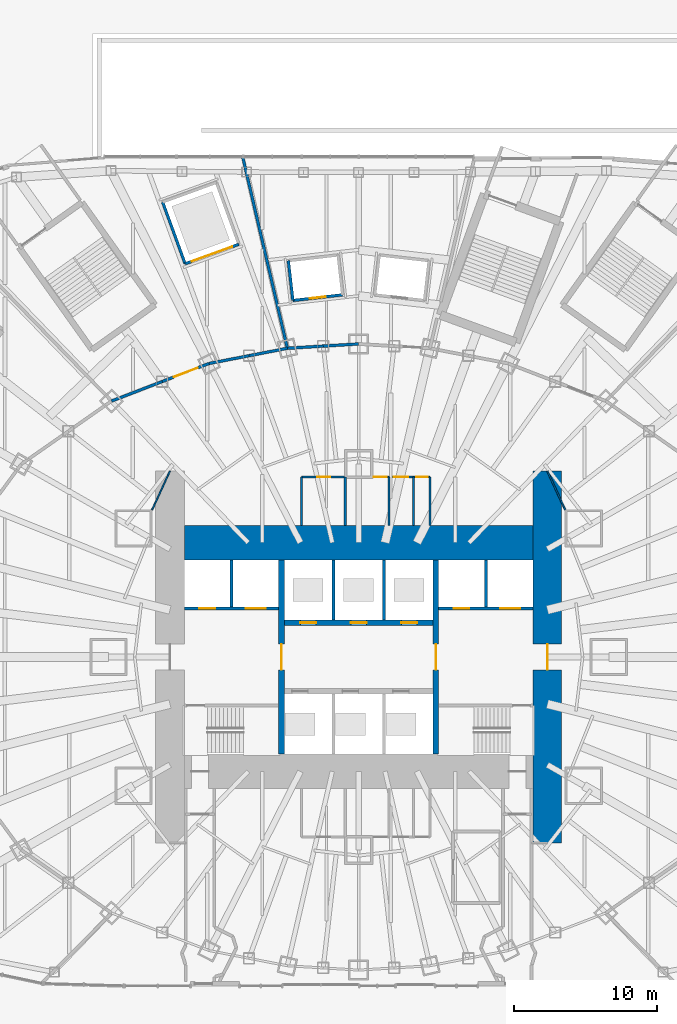
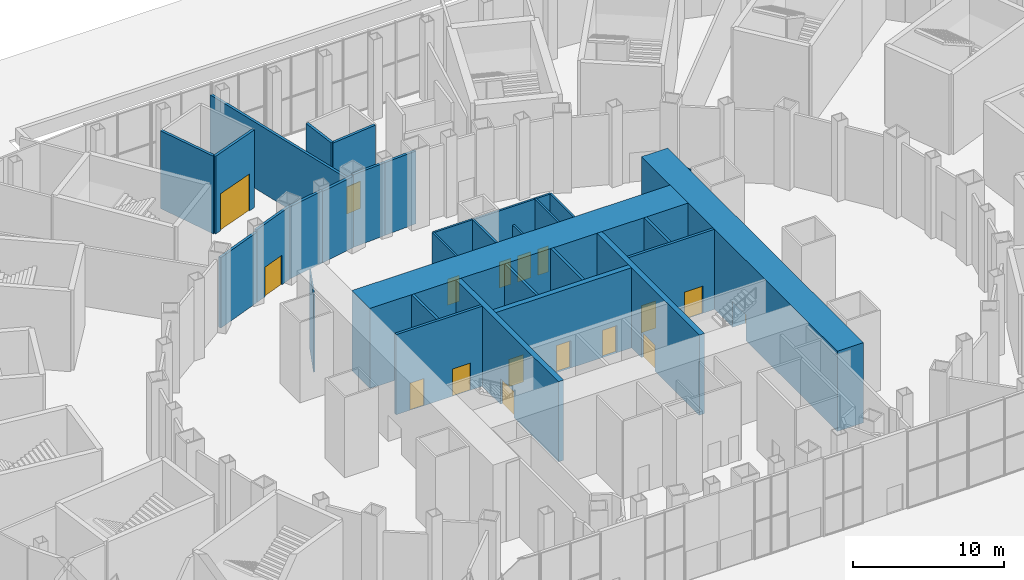
# One storey, part 19 of 47: 30 walls, 17 doors, 17 openings.
"""IFC4 building model written with IfcOpenShell, lengths in metres."""

from ifc_helpers import new_model, si_unit, direction, frame, frame_2d, origin, place, context, subcontext, project, spatial, rectangle, extrude, material, layer, layer_set, type_object, element, fill, save


model = new_model("IFC4")

# Units and contexts
model_context = context("Model", 3, precision=1e-05, world=origin(), true_north=direction((0.0, 1.0)))
body_context = subcontext(model_context, "Body", "Model", "MODEL_VIEW")
ifc_project = project(units=[si_unit("LENGTHUNIT", "METRE"), si_unit("AREAUNIT", "SQUARE_METRE"), si_unit("VOLUMEUNIT", "CUBIC_METRE"), si_unit("PLANEANGLEUNIT", "RADIAN"), si_unit("MASSUNIT", "GRAM", prefix="KILO")], contexts=[model_context])

# Site, building, storey
site_placement = place(None, origin())
site = spatial("IfcSite", under=ifc_project, at=site_placement, CompositionType="ELEMENT")
building_placement = place(site_placement, origin())
building = spatial("IfcBuilding", under=site, at=building_placement, Name="Lantaw Convention Tower", CompositionType="ELEMENT")
storey_placement = place(building_placement, origin())
storey = spatial("IfcBuildingStorey", under=building, at=storey_placement, Name="L00", CompositionType="ELEMENT", Elevation=0.0)

# Wall, opening, door
ifc_material_1 = material(Name="Concrete C60/75", Category="concrete")
ifc_layer_1 = layer(ifc_material_1, 2.0)
ifc_layer_set_1 = layer_set([ifc_layer_1], Name="Core wall 2000")
wall_type_1 = type_object("IfcWallType", Name="Core wall 2000", PredefinedType="SHEAR", material=ifc_layer_set_1)
wall_1_placement = place(storey_placement, frame((13.199951171875, -13.0, 0.0), z_axis=(0.0, 0.0, 1.0), x_axis=(0.0, 1.0, 0.0)))
wall_1 = element("IfcWall", 1, at=wall_1_placement, inside=storey, type_object=wall_type_1, Name="Core wall E", PredefinedType="SHEAR", context=body_context, shape_type="SweptSolid", body=[
    extrude(rectangle(XDim=26.0, YDim=2.0, at=frame_2d((13.0, 0.0))), origin(), (0.0, 0.0, 1.0), 6.5),
])
opening_1_placement = place(wall_1_placement, frame((12.10009765625, 0.0, 0.0)))
opening_1 = element("IfcOpeningElement", 2, at=opening_1_placement, cuts=wall_1, Name="Opening L00.05", PredefinedType="OPENING", context=body_context, shape_type="SweptSolid", body=[
    extrude(rectangle(XDim=1.800048828125, YDim=2.10009765625, at=frame_2d((0.89990234375, 1.050048828125))), frame((0.0, 1.010009765625, 0.0), z_axis=(0.0, -1.0, 0.0), x_axis=(1.0, 0.0, 0.0)), (0.0, 0.0, 1.0), 2.02001953125),
])
ifc_material_2 = material(Name="Steel, fire rated", Category="steel")
door_type_1 = type_object("IfcDoorType", Name="Lobby double door FD90", OperationType="DOUBLE_DOOR_DOUBLE_SWING", PredefinedType="DOOR", material=ifc_material_2)
door_1_placement = place(opening_1_placement, origin())
door_1 = element("IfcDoor", 3, at=door_1_placement, inside=storey, type_object=door_type_1, Name="Firefighting lobby door", OperationType="DOUBLE_DOOR_DOUBLE_SWING", OverallHeight=2.10009765625, OverallWidth=1.800048828125, PredefinedType="DOOR", context=body_context, shape_type="SweptSolid", body=[
    extrude(rectangle(XDim=1.800048828125, YDim=2.10009765625, at=frame_2d((0.89990234375, 1.050048828125))), frame((0.0, 0.02490234375, 0.0), z_axis=(0.0, -1.0, 0.0), x_axis=(1.0, 0.0, 0.0)), (0.0, 0.0, 1.0), 0.050048828125),
])
fill(opening_1, door_1)

# Wall
ifc_layer_2 = layer(ifc_material_1, 2.39990234375)
ifc_layer_set_2 = layer_set([ifc_layer_2], Name="Core wall 2400")
wall_type_2 = type_object("IfcWallType", Name="Core wall 2400", PredefinedType="SHEAR", material=ifc_layer_set_2)
wall_2_placement = place(storey_placement, frame((12.199951171875, 8.0, 0.0), z_axis=(0.0, 0.0, 1.0), x_axis=(-1.0, 0.0, 0.0)))
element("IfcWall", 4, at=wall_2_placement, inside=storey, type_object=wall_type_2, Name="Core wall N", PredefinedType="SHEAR", context=body_context, shape_type="SweptSolid", body=[
    extrude(rectangle(XDim=24.39990234375, YDim=2.39990234375, at=frame_2d((12.199951171875, 0.0))), origin(), (0.0, 0.0, 1.0), 6.5),
])

# Wall, opening, door
ifc_layer_3 = layer(ifc_material_1, 0.39990234375)
ifc_layer_set_3 = layer_set([ifc_layer_3], Name="Core wall 400")
wall_type_3 = type_object("IfcWallType", Name="Core wall 400", PredefinedType="SHEAR", material=ifc_layer_set_3)
wall_3_placement = place(storey_placement, frame((5.39990234375, -6.800048828125, 0.0), z_axis=(0.0, 0.0, 1.0), x_axis=(0.0, 1.0, 0.0)))
wall_3 = element("IfcWall", 5, at=wall_3_placement, inside=storey, type_object=wall_type_3, Name="Core wall XE", PredefinedType="SHEAR", context=body_context, shape_type="SweptSolid", body=[
    extrude(rectangle(XDim=13.60009765625, YDim=0.39990234375, at=frame_2d((6.800048828125, 0.0))), origin(), (0.0, 0.0, 1.0), 6.5),
])
opening_2_placement = place(wall_3_placement, frame((5.89990234375, 0.0, 0.0)))
opening_2 = element("IfcOpeningElement", 6, at=opening_2_placement, cuts=wall_3, Name="Opening L00.01", PredefinedType="OPENING", context=body_context, shape_type="SweptSolid", body=[
    extrude(rectangle(XDim=1.800048828125, YDim=2.10009765625, at=frame_2d((0.89990234375, 1.050048828125))), frame((0.0, 0.2099609375, 0.0), z_axis=(0.0, -1.0, 0.0), x_axis=(1.0, 0.0, 0.0)), (0.0, 0.0, 1.0), 0.419921875),
])
door_2_placement = place(opening_2_placement, origin())
door_2 = element("IfcDoor", 7, at=door_2_placement, inside=storey, type_object=door_type_1, Name="Lift lobby door", OperationType="DOUBLE_DOOR_DOUBLE_SWING", OverallHeight=2.10009765625, OverallWidth=1.800048828125, PredefinedType="DOOR", context=body_context, shape_type="SweptSolid", body=[
    extrude(rectangle(XDim=1.800048828125, YDim=2.10009765625, at=frame_2d((0.89990234375, 1.050048828125))), frame((0.0, 0.02490234375, 0.0), z_axis=(0.0, -1.0, 0.0), x_axis=(1.0, 0.0, 0.0)), (0.0, 0.0, 1.0), 0.050048828125),
])
fill(opening_2, door_2)

wall_4_placement = place(storey_placement, frame((-5.39990234375, 6.800048828125, 0.0), z_axis=(0.0, 0.0, 1.0), x_axis=(0.0, -1.0, 0.0)))
wall_4 = element("IfcWall", 8, at=wall_4_placement, inside=storey, type_object=wall_type_3, Name="Core wall XW", PredefinedType="SHEAR", context=body_context, shape_type="SweptSolid", body=[
    extrude(rectangle(XDim=13.60009765625, YDim=0.39990234375, at=frame_2d((6.800048828125, 0.0))), origin(), (0.0, 0.0, 1.0), 6.5),
])
opening_3_placement = place(wall_4_placement, frame((5.89990234375, 0.0, 0.0)))
opening_3 = element("IfcOpeningElement", 9, at=opening_3_placement, cuts=wall_4, Name="Opening L00.02", PredefinedType="OPENING", context=body_context, shape_type="SweptSolid", body=[
    extrude(rectangle(XDim=1.800048828125, YDim=2.10009765625, at=frame_2d((0.89990234375, 1.050048828125))), frame((0.0, 0.2099609375, 0.0), z_axis=(0.0, -1.0, 0.0), x_axis=(1.0, 0.0, 0.0)), (0.0, 0.0, 1.0), 0.419921875),
])
door_3_placement = place(opening_3_placement, origin())
door_3 = element("IfcDoor", 10, at=door_3_placement, inside=storey, type_object=door_type_1, Name="Lift lobby door", OperationType="DOUBLE_DOOR_DOUBLE_SWING", OverallHeight=2.10009765625, OverallWidth=1.800048828125, PredefinedType="DOOR", context=body_context, shape_type="SweptSolid", body=[
    extrude(rectangle(XDim=1.800048828125, YDim=2.10009765625, at=frame_2d((0.89990234375, 1.050048828125))), frame((0.0, 0.02490234375, 0.0), z_axis=(0.0, -1.0, 0.0), x_axis=(1.0, 0.0, 0.0)), (0.0, 0.0, 1.0), 0.050048828125),
])
fill(opening_3, door_3)

# Wall, openings, doors
wall_5_placement = place(storey_placement, frame((5.199951171875, 2.39990234375, 0.0), z_axis=(0.0, 0.0, 1.0), x_axis=(-1.0, 0.0, 0.0)))
wall_5 = element("IfcWall", 11, at=wall_5_placement, inside=storey, type_object=wall_type_3, Name="Core wall BN", PredefinedType="SHEAR", context=body_context, shape_type="SweptSolid", body=[
    extrude(rectangle(XDim=10.39990234375, YDim=0.39990234375, at=frame_2d((5.199951171875, 0.0))), origin(), (0.0, 0.0, 1.0), 6.5),
])
opening_4_placement = place(wall_5_placement, frame((8.183349609375, 0.0, 0.0)))
opening_4 = element("IfcOpeningElement", 12, at=opening_4_placement, cuts=wall_5, Name="Opening L00.07", PredefinedType="OPENING", context=body_context, shape_type="SweptSolid", body=[
    extrude(rectangle(XDim=1.10009765625, YDim=2.199951171875, at=frame_2d((0.550048828125, 1.10009765625))), frame((0.0, 0.2099609375, 0.0), z_axis=(0.0, -1.0, 0.0), x_axis=(1.0, 0.0, 0.0)), (0.0, 0.0, 1.0), 0.419921875),
])
opening_5_placement = place(wall_5_placement, frame((4.64990234375, 0.0, 0.0)))
opening_5 = element("IfcOpeningElement", 13, at=opening_5_placement, cuts=wall_5, Name="Opening L00.09", PredefinedType="OPENING", context=body_context, shape_type="SweptSolid", body=[
    extrude(rectangle(XDim=1.10009765625, YDim=2.199951171875, at=frame_2d((0.550048828125, 1.10009765625))), frame((0.0, 0.2099609375, 0.0), z_axis=(0.0, -1.0, 0.0), x_axis=(1.0, 0.0, 0.0)), (0.0, 0.0, 1.0), 0.419921875),
])
opening_6_placement = place(wall_5_placement, frame((1.11669921875, 0.0, 0.0)))
opening_6 = element("IfcOpeningElement", 14, at=opening_6_placement, cuts=wall_5, Name="Opening L00.11", PredefinedType="OPENING", context=body_context, shape_type="SweptSolid", body=[
    extrude(rectangle(XDim=1.10009765625, YDim=2.199951171875, at=frame_2d((0.550048828125, 1.10009765625))), frame((0.0, 0.2099609375, 0.0), z_axis=(0.0, -1.0, 0.0), x_axis=(1.0, 0.0, 0.0)), (0.0, 0.0, 1.0), 0.419921875),
])
ifc_material_3 = material(Name="Stainless steel", Category="steel")
door_type_2 = type_object("IfcDoorType", Name="Lift landing door 1100", OperationType="DOUBLE_DOOR_SLIDING", PredefinedType="DOOR", material=ifc_material_3)
door_4_placement = place(opening_4_placement, origin())
door_4 = element("IfcDoor", 15, at=door_4_placement, inside=storey, type_object=door_type_2, Name="Lift landing door N1", OperationType="DOUBLE_DOOR_SLIDING", OverallHeight=2.199951171875, OverallWidth=1.10009765625, PredefinedType="DOOR", context=body_context, shape_type="SweptSolid", body=[
    extrude(rectangle(XDim=1.10009765625, YDim=2.199951171875, at=frame_2d((0.550048828125, 1.10009765625))), frame((0.0, 0.02490234375, 0.0), z_axis=(0.0, -1.0, 0.0), x_axis=(1.0, 0.0, 0.0)), (0.0, 0.0, 1.0), 0.050048828125),
])
fill(opening_4, door_4)
door_5_placement = place(opening_5_placement, origin())
door_5 = element("IfcDoor", 16, at=door_5_placement, inside=storey, type_object=door_type_2, Name="Lift landing door N2", OperationType="DOUBLE_DOOR_SLIDING", OverallHeight=2.199951171875, OverallWidth=1.10009765625, PredefinedType="DOOR", context=body_context, shape_type="SweptSolid", body=[
    extrude(rectangle(XDim=1.10009765625, YDim=2.199951171875, at=frame_2d((0.550048828125, 1.10009765625))), frame((0.0, 0.02490234375, 0.0), z_axis=(0.0, -1.0, 0.0), x_axis=(1.0, 0.0, 0.0)), (0.0, 0.0, 1.0), 0.050048828125),
])
fill(opening_5, door_5)
door_6_placement = place(opening_6_placement, origin())
door_6 = element("IfcDoor", 17, at=door_6_placement, inside=storey, type_object=door_type_2, Name="Lift landing door N3", OperationType="DOUBLE_DOOR_SLIDING", OverallHeight=2.199951171875, OverallWidth=1.10009765625, PredefinedType="DOOR", context=body_context, shape_type="SweptSolid", body=[
    extrude(rectangle(XDim=1.10009765625, YDim=2.199951171875, at=frame_2d((0.550048828125, 1.10009765625))), frame((0.0, 0.02490234375, 0.0), z_axis=(0.0, -1.0, 0.0), x_axis=(1.0, 0.0, 0.0)), (0.0, 0.0, 1.0), 0.050048828125),
])
fill(opening_6, door_6)

# Wall
ifc_material_4 = material(Name="Concrete blockwork, fire rated", Category="masonry")
ifc_layer_4 = layer(ifc_material_4, 0.199951171875)
ifc_layer_set_4 = layer_set([ifc_layer_4], Name="Lift shaft wall 200 EI 120")
wall_type_4 = type_object("IfcWallType", Name="Lift shaft wall 200 EI 120", PredefinedType="SOLIDWALL", material=ifc_layer_set_4)
wall_6_placement = place(storey_placement, frame((-4.919677734375, 27.72119140625, 0.0), z_axis=(0.0, 0.0, 1.0), x_axis=(0.113177712989, -0.993574760792, 0.0)))
element("IfcWall", 18, at=wall_6_placement, inside=storey, type_object=wall_type_4, Name="Lift shaft wall", PredefinedType="SOLIDWALL", context=body_context, shape_type="SweptSolid", body=[
    extrude(rectangle(XDim=2.800048828125, YDim=0.199951171875, at=frame_2d((1.39990234375, 0.0))), origin(), (0.0, 0.0, 1.0), 6.300048828125),
])

# Wall, opening, door
wall_7_placement = place(storey_placement, frame((-4.602783203125, 24.939208984375, 0.0), z_axis=(0.0, 0.0, 1.0), x_axis=(0.993571061716, 0.113210182053, 0.0)))
wall_7 = element("IfcWall", 19, at=wall_7_placement, inside=storey, type_object=wall_type_4, Name="Lift shaft wall", PredefinedType="SOLIDWALL", context=body_context, shape_type="SweptSolid", body=[
    extrude(rectangle(XDim=3.5, YDim=0.199951171875, at=frame_2d((1.75, 0.0))), origin(), (0.0, 0.0, 1.0), 6.300048828125),
])
opening_7_placement = place(wall_7_placement, frame((1.199951171875, 0.0, 0.0)))
opening_7 = element("IfcOpeningElement", 20, at=opening_7_placement, cuts=wall_7, Name="Opening LDPL2", PredefinedType="OPENING", context=body_context, shape_type="SweptSolid", body=[
    extrude(rectangle(XDim=1.10009765625, YDim=2.199951171875, at=frame_2d((0.550048828125, 1.10009765625))), frame((0.0, 0.10986328125, 0.0), z_axis=(0.0, -1.0, 0.0), x_axis=(1.0, 0.0, 0.0)), (0.0, 0.0, 1.0), 0.219970703125),
])
door_7_placement = place(opening_7_placement, origin())
door_7 = element("IfcDoor", 21, at=door_7_placement, inside=storey, type_object=door_type_2, Name="Lift landing door PL2", OperationType="DOUBLE_DOOR_SLIDING", OverallHeight=2.199951171875, OverallWidth=1.10009765625, PredefinedType="DOOR", context=body_context, shape_type="SweptSolid", body=[
    extrude(rectangle(XDim=1.10009765625, YDim=2.199951171875, at=frame_2d((0.550048828125, 1.10009765625))), frame((0.0, 0.02490234375, 0.0), z_axis=(0.0, -1.0, 0.0), x_axis=(1.0, 0.0, 0.0)), (0.0, 0.0, 1.0), 0.050048828125),
])
fill(opening_7, door_7)

# Wall
wall_8_placement = place(storey_placement, frame((-13.71337890625, 31.829345703125, 0.0), z_axis=(0.0, 0.0, 1.0), x_axis=(0.342062650202, -0.939677148459, 0.0)))
element("IfcWall", 22, at=wall_8_placement, inside=storey, type_object=wall_type_4, Name="Lift shaft wall", PredefinedType="SOLIDWALL", context=body_context, shape_type="SweptSolid", body=[
    extrude(rectangle(XDim=4.60009765625, YDim=0.199951171875, at=frame_2d((2.300048828125, 0.0))), origin(), (0.0, 0.0, 1.0), 6.300048828125),
])

# Wall, opening, door
wall_9_placement = place(storey_placement, frame((-12.139892578125, 27.5068359375, 0.0), z_axis=(0.0, 0.0, 1.0), x_axis=(0.939706071622, 0.341983185197, 0.0)))
wall_9 = element("IfcWall", 23, at=wall_9_placement, inside=storey, type_object=wall_type_4, Name="Lift shaft wall", PredefinedType="SOLIDWALL", context=body_context, shape_type="SweptSolid", body=[
    extrude(rectangle(XDim=4.0, YDim=0.199951171875, at=frame_2d((2.0, 0.0))), origin(), (0.0, 0.0, 1.0), 6.300048828125),
])
opening_8_placement = place(wall_9_placement, frame((0.5, 0.0, 0.0)))
opening_8 = element("IfcOpeningElement", 24, at=opening_8_placement, cuts=wall_9, Name="Opening LDGL1", PredefinedType="OPENING", context=body_context, shape_type="SweptSolid", body=[
    extrude(rectangle(XDim=3.0, YDim=3.0, at=frame_2d((1.5, 1.5))), frame((0.0, 0.10986328125, 0.0), z_axis=(0.0, -1.0, 0.0), x_axis=(1.0, 0.0, 0.0)), (0.0, 0.0, 1.0), 0.219970703125),
])
door_type_3 = type_object("IfcDoorType", Name="Lift landing door 3000", OperationType="DOUBLE_DOOR_SLIDING", PredefinedType="DOOR", material=ifc_material_3)
door_8_placement = place(opening_8_placement, origin())
door_8 = element("IfcDoor", 25, at=door_8_placement, inside=storey, type_object=door_type_3, Name="Lift landing door GL1", OperationType="DOUBLE_DOOR_SLIDING", OverallHeight=3.0, OverallWidth=3.0, PredefinedType="DOOR", context=body_context, shape_type="SweptSolid", body=[
    extrude(rectangle(XDim=3.0, YDim=3.0, at=frame_2d((1.5, 1.5))), frame((0.0, 0.02490234375, 0.0), z_axis=(0.0, -1.0, 0.0), x_axis=(1.0, 0.0, 0.0)), (0.0, 0.0, 1.0), 0.050048828125),
])
fill(opening_8, door_8)

# Walls
ifc_material_5 = material(Name="Gypsum board on steel studs, acoustic", Category="steel")
ifc_layer_5 = layer(ifc_material_5, 0.10009765625)
ifc_layer_set_5 = layer_set([ifc_layer_5], Name="Office partition 100")
wall_type_5 = type_object("IfcWallType", Name="Office partition 100", PredefinedType="PARTITIONING", material=ifc_layer_set_5)
for number, where, z_axis, x_axis, name in (
    (26, (13.199951171875, 13.0, 0.0), (0.0, 0.0, 1.0), (0.420129824888, -0.907464010437, 0.0), "Office partition 100"),
    (27, (-13.199951171875, 13.0, 0.0), (0.0, 0.0, 1.0), (-0.420129824888, -0.907464010437, 0.0), "Office partition 100"),
):
    element("IfcWall", number, at=place(storey_placement, frame(where, z_axis=z_axis, x_axis=x_axis)), inside=storey, type_object=wall_type_5, Name=name, PredefinedType="PARTITIONING", context=body_context, shape_type="SweptSolid", body=[
        extrude(rectangle(XDim=2.975341796875, YDim=0.10009765625, at=frame_2d((1.48779296875, 0.0))), origin(), (0.0, 0.0, 1.0), 6.300048828125),
    ])
ifc_material_6 = material(Name="Concrete blockwork", Category="masonry")
ifc_layer_6 = layer(ifc_material_6, 0.199951171875)
ifc_layer_set_6 = layer_set([ifc_layer_6], Name="Podium partition 200")
wall_type_6 = type_object("IfcWallType", Name="Podium partition 200", PredefinedType="SOLIDWALL", material=ifc_layer_set_6)
wall_10_placement = place(storey_placement, frame((0.0, 21.89990234375, 0.0), z_axis=(0.0, 0.0, 1.0), x_axis=(-0.998175328335, -0.060382231685, 0.0)))
element("IfcWall", 28, at=wall_10_placement, inside=storey, type_object=wall_type_6, Name="Podium partition 200", PredefinedType="SOLIDWALL", context=body_context, shape_type="SweptSolid", body=[
    extrude(rectangle(XDim=2.482666015625, YDim=0.199951171875, at=frame_2d((1.2412109375, 0.0))), origin(), (0.0, 0.0, 1.0), 5.896240234375),
])
wall_11_placement = place(storey_placement, frame((-2.47802734375, 21.75, 0.0), z_axis=(0.0, 0.0, 1.0), x_axis=(-0.998172405641, -0.060430527186, 0.0)))
element("IfcWall", 29, at=wall_11_placement, inside=storey, type_object=wall_type_6, Name="Podium partition 200", PredefinedType="SOLIDWALL", context=body_context, shape_type="SweptSolid", body=[
    extrude(rectangle(XDim=2.512939453125, YDim=0.199951171875, at=frame_2d((1.25634765625, 0.0))), origin(), (0.0, 0.0, 1.0), 5.896240234375),
])
wall_12_placement = place(storey_placement, frame((-4.986328125, 21.59814453125, 0.0), z_axis=(0.0, 0.0, 1.0), x_axis=(-0.981637218105, -0.190757364289, 0.0)))
element("IfcWall", 30, at=wall_12_placement, inside=storey, type_object=wall_type_6, Name="Podium partition 200", PredefinedType="SOLIDWALL", context=body_context, shape_type="SweptSolid", body=[
    extrude(rectangle(XDim=2.735107421875, YDim=0.199951171875, at=frame_2d((1.36767578125, 0.0))), origin(), (0.0, 0.0, 1.0), 5.774169921875),
])
wall_13_placement = place(storey_placement, frame((-7.671142578125, 21.076416015625, 0.0), z_axis=(0.0, 0.0, 1.0), x_axis=(-0.98163593748, -0.190763954266, 0.0)))
element("IfcWall", 31, at=wall_13_placement, inside=storey, type_object=wall_type_6, Name="Podium partition 200", PredefinedType="SOLIDWALL", context=body_context, shape_type="SweptSolid", body=[
    extrude(rectangle(XDim=2.84375, YDim=0.199951171875, at=frame_2d((1.421875, 0.0))), origin(), (0.0, 0.0, 1.0), 5.850341796875),
])

# Wall, opening, door
wall_14_placement = place(storey_placement, frame((-10.462646484375, 20.533935546875, 0.0), z_axis=(0.0, 0.0, 1.0), x_axis=(-0.933241815012, -0.359248820058, 0.0)))
wall_14 = element("IfcWall", 32, at=wall_14_placement, inside=storey, type_object=wall_type_6, Name="Podium partition 200", PredefinedType="SOLIDWALL", context=body_context, shape_type="SweptSolid", body=[
    extrude(rectangle(XDim=3.517578125, YDim=0.199951171875, at=frame_2d((1.7587890625, 0.0))), origin(), (0.0, 0.0, 1.0), 5.896240234375),
])
opening_9_placement = place(wall_14_placement, frame((0.85888671875, 0.0, 0.0)))
opening_9 = element("IfcOpeningElement", 33, at=opening_9_placement, cuts=wall_14, Name="Opening L00.21", PredefinedType="OPENING", context=body_context, shape_type="SweptSolid", body=[
    extrude(rectangle(XDim=1.800048828125, YDim=2.39990234375, at=frame_2d((0.89990234375, 1.199951171875))), frame((0.0, 0.10986328125, 0.0), z_axis=(0.0, -1.0, 0.0), x_axis=(1.0, 0.0, 0.0)), (0.0, 0.0, 1.0), 0.219970703125),
])
ifc_material_7 = material(Name="Timber", Category="wood")
door_type_4 = type_object("IfcDoorType", Name="Hall double door 1800", OperationType="DOUBLE_DOOR_DOUBLE_SWING", PredefinedType="DOOR", material=ifc_material_7)
door_9_placement = place(opening_9_placement, origin())
door_9 = element("IfcDoor", 34, at=door_9_placement, inside=storey, type_object=door_type_4, Name="Loading bay door", OperationType="DOUBLE_DOOR_DOUBLE_SWING", OverallHeight=2.39990234375, OverallWidth=1.800048828125, PredefinedType="DOOR", context=body_context, shape_type="SweptSolid", body=[
    extrude(rectangle(XDim=1.800048828125, YDim=2.39990234375, at=frame_2d((0.89990234375, 1.199951171875))), frame((0.0, 0.02490234375, 0.0), z_axis=(0.0, -1.0, 0.0), x_axis=(1.0, 0.0, 0.0)), (0.0, 0.0, 1.0), 0.050048828125),
])
fill(opening_9, door_9)

# Walls
wall_15_placement = place(storey_placement, frame((-13.745361328125, 19.270263671875, 0.0), z_axis=(0.0, 0.0, 1.0), x_axis=(-0.933224646415, -0.359293416754, 0.0)))
element("IfcWall", 35, at=wall_15_placement, inside=storey, type_object=wall_type_6, Name="Podium partition 200", PredefinedType="SOLIDWALL", context=body_context, shape_type="SweptSolid", body=[
    extrude(rectangle(XDim=3.799072265625, YDim=0.199951171875, at=frame_2d((1.8994140625, 0.0))), origin(), (0.0, 0.0, 1.0), 5.700439453125),
])
wall_16_placement = place(storey_placement, frame((-4.986328125, 21.59814453125, 0.0), z_axis=(0.0, 0.0, 1.0), x_axis=(-0.227372072823, 0.973807958737, 0.0)))
element("IfcWall", 36, at=wall_16_placement, inside=storey, type_object=wall_type_6, Name="Podium partition 200", PredefinedType="SOLIDWALL", context=body_context, shape_type="SweptSolid", body=[
    extrude(rectangle(XDim=13.706298828125, YDim=0.199951171875, at=frame_2d((6.85302734375, 0.0))), origin(), (0.0, 0.0, 1.0), 5.357666015625),
])
ifc_layer_7 = layer(ifc_material_4, 0.199951171875)
ifc_layer_set_7 = layer_set([ifc_layer_7], Name="Shaft wall 200")
wall_type_7 = type_object("IfcWallType", Name="Shaft wall 200", PredefinedType="SOLIDWALL", material=ifc_layer_set_7)
for number, where, z_axis, x_axis, name in (
    (37, (-1.7666015625, 2.60009765625, 0.0), (0.0, 0.0, 1.0), (0.0, 1.0, 0.0), "Shaft wall DN1"),
    (38, (1.7666015625, 2.60009765625, 0.0), (0.0, 0.0, 1.0), (0.0, 1.0, 0.0), "Shaft wall DN2"),
):
    element("IfcWall", number, at=place(storey_placement, frame(where, z_axis=z_axis, x_axis=x_axis)), inside=storey, type_object=wall_type_7, Name=name, PredefinedType="SOLIDWALL", context=body_context, shape_type="SweptSolid", body=[
        extrude(rectangle(XDim=4.199951171875, YDim=0.199951171875, at=frame_2d((2.10009765625, 0.0))), origin(), (0.0, 0.0, 1.0), 6.5),
    ])

# Wall, openings, doors
wall_17_placement = place(storey_placement, frame((12.199951171875, 3.39990234375, 0.0), z_axis=(0.0, 0.0, 1.0), x_axis=(-1.0, 0.0, 0.0)))
wall_17 = element("IfcWall", 39, at=wall_17_placement, inside=storey, type_object=wall_type_7, Name="Shaft wall EN", PredefinedType="SOLIDWALL", context=body_context, shape_type="SweptSolid", body=[
    extrude(rectangle(XDim=6.599853515625, YDim=0.199951171875, at=frame_2d((3.2998046875, 0.0))), origin(), (0.0, 0.0, 1.0), 6.5),
])
opening_10_placement = place(wall_17_placement, frame((4.449951171875, 0.0, 0.0)))
opening_10 = element("IfcOpeningElement", 40, at=opening_10_placement, cuts=wall_17, Name="Opening L00.15", PredefinedType="OPENING", context=body_context, shape_type="SweptSolid", body=[
    extrude(rectangle(XDim=1.10009765625, YDim=2.199951171875, at=frame_2d((0.550048828125, 1.10009765625))), frame((0.0, 0.10986328125, 0.0), z_axis=(0.0, -1.0, 0.0), x_axis=(1.0, 0.0, 0.0)), (0.0, 0.0, 1.0), 0.219970703125),
])
opening_11_placement = place(wall_17_placement, frame((0.89990234375, 0.0, 0.0)))
opening_11 = element("IfcOpeningElement", 41, at=opening_11_placement, cuts=wall_17, Name="Opening L00.16", PredefinedType="OPENING", context=body_context, shape_type="SweptSolid", body=[
    extrude(rectangle(XDim=1.39990234375, YDim=2.199951171875, at=frame_2d((0.699951171875, 1.10009765625))), frame((0.0, 0.10986328125, 0.0), z_axis=(0.0, -1.0, 0.0), x_axis=(1.0, 0.0, 0.0)), (0.0, 0.0, 1.0), 0.219970703125),
])
door_10_placement = place(opening_10_placement, origin())
door_10 = element("IfcDoor", 42, at=door_10_placement, inside=storey, type_object=door_type_2, Name="Lift landing door FF2", OperationType="DOUBLE_DOOR_SLIDING", OverallHeight=2.199951171875, OverallWidth=1.10009765625, PredefinedType="DOOR", context=body_context, shape_type="SweptSolid", body=[
    extrude(rectangle(XDim=1.10009765625, YDim=2.199951171875, at=frame_2d((0.550048828125, 1.10009765625))), frame((0.0, 0.02490234375, 0.0), z_axis=(0.0, -1.0, 0.0), x_axis=(1.0, 0.0, 0.0)), (0.0, 0.0, 1.0), 0.050048828125),
])
fill(opening_10, door_10)
door_type_5 = type_object("IfcDoorType", Name="Lift landing door 1400", OperationType="DOUBLE_DOOR_SLIDING", PredefinedType="DOOR", material=ifc_material_3)
door_11_placement = place(opening_11_placement, origin())
door_11 = element("IfcDoor", 43, at=door_11_placement, inside=storey, type_object=door_type_5, Name="Lift landing door SV2", OperationType="DOUBLE_DOOR_SLIDING", OverallHeight=2.199951171875, OverallWidth=1.39990234375, PredefinedType="DOOR", context=body_context, shape_type="SweptSolid", body=[
    extrude(rectangle(XDim=1.39990234375, YDim=2.199951171875, at=frame_2d((0.699951171875, 1.10009765625))), frame((0.0, 0.02490234375, 0.0), z_axis=(0.0, -1.0, 0.0), x_axis=(1.0, 0.0, 0.0)), (0.0, 0.0, 1.0), 0.050048828125),
])
fill(opening_11, door_11)

# Wall
wall_18_placement = place(storey_placement, frame((8.89990234375, 3.5, 0.0), z_axis=(0.0, 0.0, 1.0), x_axis=(0.0, 1.0, 0.0)))
element("IfcWall", 44, at=wall_18_placement, inside=storey, type_object=wall_type_7, Name="Shaft wall ED", PredefinedType="SOLIDWALL", context=body_context, shape_type="SweptSolid", body=[
    extrude(rectangle(XDim=3.300048828125, YDim=0.199951171875, at=frame_2d((1.64990234375, 0.0))), origin(), (0.0, 0.0, 1.0), 6.5),
])

# Wall, openings, doors
wall_19_placement = place(storey_placement, frame((-12.199951171875, 3.39990234375, 0.0), z_axis=(0.0, 0.0, 1.0), x_axis=(1.0, 0.0, 0.0)))
wall_19 = element("IfcWall", 45, at=wall_19_placement, inside=storey, type_object=wall_type_7, Name="Shaft wall WN", PredefinedType="SOLIDWALL", context=body_context, shape_type="SweptSolid", body=[
    extrude(rectangle(XDim=6.599853515625, YDim=0.199951171875, at=frame_2d((3.2998046875, 0.0))), origin(), (0.0, 0.0, 1.0), 6.5),
])
opening_12_placement = place(wall_19_placement, frame((1.050048828125, 0.0, 0.0)))
opening_12 = element("IfcOpeningElement", 46, at=opening_12_placement, cuts=wall_19, Name="Opening L00.13", PredefinedType="OPENING", context=body_context, shape_type="SweptSolid", body=[
    extrude(rectangle(XDim=1.10009765625, YDim=2.199951171875, at=frame_2d((0.550048828125, 1.10009765625))), frame((0.0, 0.10986328125, 0.0), z_axis=(0.0, -1.0, 0.0), x_axis=(1.0, 0.0, 0.0)), (0.0, 0.0, 1.0), 0.219970703125),
])
opening_13_placement = place(wall_19_placement, frame((4.300048828125, 0.0, 0.0)))
opening_13 = element("IfcOpeningElement", 47, at=opening_13_placement, cuts=wall_19, Name="Opening L00.14", PredefinedType="OPENING", context=body_context, shape_type="SweptSolid", body=[
    extrude(rectangle(XDim=1.39990234375, YDim=2.199951171875, at=frame_2d((0.699951171875, 1.10009765625))), frame((0.0, 0.10986328125, 0.0), z_axis=(0.0, -1.0, 0.0), x_axis=(1.0, 0.0, 0.0)), (0.0, 0.0, 1.0), 0.219970703125),
])
door_12_placement = place(opening_12_placement, origin())
door_12 = element("IfcDoor", 48, at=door_12_placement, inside=storey, type_object=door_type_2, Name="Lift landing door FF1", OperationType="DOUBLE_DOOR_SLIDING", OverallHeight=2.199951171875, OverallWidth=1.10009765625, PredefinedType="DOOR", context=body_context, shape_type="SweptSolid", body=[
    extrude(rectangle(XDim=1.10009765625, YDim=2.199951171875, at=frame_2d((0.550048828125, 1.10009765625))), frame((0.0, 0.02490234375, 0.0), z_axis=(0.0, -1.0, 0.0), x_axis=(1.0, 0.0, 0.0)), (0.0, 0.0, 1.0), 0.050048828125),
])
fill(opening_12, door_12)
door_13_placement = place(opening_13_placement, origin())
door_13 = element("IfcDoor", 49, at=door_13_placement, inside=storey, type_object=door_type_5, Name="Lift landing door SV1", OperationType="DOUBLE_DOOR_SLIDING", OverallHeight=2.199951171875, OverallWidth=1.39990234375, PredefinedType="DOOR", context=body_context, shape_type="SweptSolid", body=[
    extrude(rectangle(XDim=1.39990234375, YDim=2.199951171875, at=frame_2d((0.699951171875, 1.10009765625))), frame((0.0, 0.02490234375, 0.0), z_axis=(0.0, -1.0, 0.0), x_axis=(1.0, 0.0, 0.0)), (0.0, 0.0, 1.0), 0.050048828125),
])
fill(opening_13, door_13)

# Wall
wall_20_placement = place(storey_placement, frame((-8.89990234375, 3.5, 0.0), z_axis=(0.0, 0.0, 1.0), x_axis=(0.0, 1.0, 0.0)))
element("IfcWall", 50, at=wall_20_placement, inside=storey, type_object=wall_type_7, Name="Shaft wall WD", PredefinedType="SOLIDWALL", context=body_context, shape_type="SweptSolid", body=[
    extrude(rectangle(XDim=3.300048828125, YDim=0.199951171875, at=frame_2d((1.64990234375, 0.0))), origin(), (0.0, 0.0, 1.0), 6.5),
])

# Wall, openings, doors
ifc_layer_8 = layer(ifc_material_6, 0.14990234375)
ifc_layer_set_8 = layer_set([ifc_layer_8], Name="WC wall 150")
wall_type_8 = type_object("IfcWallType", Name="WC wall 150", PredefinedType="SOLIDWALL", material=ifc_layer_set_8)
wall_21_placement = place(storey_placement, frame((-4.0, 12.60009765625, 0.0), z_axis=(0.0, 0.0, 1.0), x_axis=(1.0, 0.0, 0.0)))
wall_21 = element("IfcWall", 51, at=wall_21_placement, inside=storey, type_object=wall_type_8, Name="WC wall 150", PredefinedType="SOLIDWALL", context=body_context, shape_type="SweptSolid", body=[
    extrude(rectangle(XDim=9.0, YDim=0.14990234375, at=frame_2d((4.5, 0.0))), origin(), (0.0, 0.0, 1.0), 6.300048828125),
])
opening_14_placement = place(wall_21_placement, frame((1.10009765625, 0.0, 0.0)))
opening_14 = element("IfcOpeningElement", 52, at=opening_14_placement, cuts=wall_21, Name="Opening L00.24", PredefinedType="OPENING", context=body_context, shape_type="SweptSolid", body=[
    extrude(rectangle(XDim=0.89990234375, YDim=2.10009765625, at=frame_2d((0.449951171875, 1.050048828125))), frame((0.0, 0.0849609375, 0.0), z_axis=(0.0, -1.0, 0.0), x_axis=(1.0, 0.0, 0.0)), (0.0, 0.0, 1.0), 0.169921875),
])
opening_15_placement = place(wall_21_placement, frame((5.06005859375, 0.0, 0.0)))
opening_15 = element("IfcOpeningElement", 53, at=opening_15_placement, cuts=wall_21, Name="Opening L00.25", PredefinedType="OPENING", context=body_context, shape_type="SweptSolid", body=[
    extrude(rectangle(XDim=0.89990234375, YDim=2.10009765625, at=frame_2d((0.449951171875, 1.050048828125))), frame((0.0, 0.0849609375, 0.0), z_axis=(0.0, -1.0, 0.0), x_axis=(1.0, 0.0, 0.0)), (0.0, 0.0, 1.0), 0.169921875),
])
opening_16_placement = place(wall_21_placement, frame((6.469970703125, 0.0, 0.0)))
opening_16 = element("IfcOpeningElement", 54, at=opening_16_placement, cuts=wall_21, Name="Opening L00.26", PredefinedType="OPENING", context=body_context, shape_type="SweptSolid", body=[
    extrude(rectangle(XDim=1.0, YDim=2.10009765625, at=frame_2d((0.5, 1.050048828125))), frame((0.0, 0.0849609375, 0.0), z_axis=(0.0, -1.0, 0.0), x_axis=(1.0, 0.0, 0.0)), (0.0, 0.0, 1.0), 0.169921875),
])
opening_17_placement = place(wall_21_placement, frame((8.030029296875, 0.0, 0.0)))
opening_17 = element("IfcOpeningElement", 55, at=opening_17_placement, cuts=wall_21, Name="Opening L00.27", PredefinedType="OPENING", context=body_context, shape_type="SweptSolid", body=[
    extrude(rectangle(XDim=0.800048828125, YDim=2.10009765625, at=frame_2d((0.39990234375, 1.050048828125))), frame((0.0, 0.0849609375, 0.0), z_axis=(0.0, -1.0, 0.0), x_axis=(1.0, 0.0, 0.0)), (0.0, 0.0, 1.0), 0.169921875),
])
door_type_6 = type_object("IfcDoorType", Name="Accessible WC door 1000", OperationType="SINGLE_SWING_LEFT", PredefinedType="DOOR", material=ifc_material_7)
door_14_placement = place(opening_16_placement, origin())
door_14 = element("IfcDoor", 56, at=door_14_placement, inside=storey, type_object=door_type_6, Name="Accessible WC door", OperationType="SINGLE_SWING_LEFT", OverallHeight=2.10009765625, OverallWidth=1.0, PredefinedType="DOOR", context=body_context, shape_type="SweptSolid", body=[
    extrude(rectangle(XDim=1.0, YDim=2.10009765625, at=frame_2d((0.5, 1.050048828125))), frame((0.0, 0.02490234375, 0.0), z_axis=(0.0, -1.0, 0.0), x_axis=(1.0, 0.0, 0.0)), (0.0, 0.0, 1.0), 0.050048828125),
])
fill(opening_16, door_14)
door_type_7 = type_object("IfcDoorType", Name="WC door 800", OperationType="SINGLE_SWING_LEFT", PredefinedType="DOOR", material=ifc_material_7)
door_15_placement = place(opening_17_placement, origin())
door_15 = element("IfcDoor", 57, at=door_15_placement, inside=storey, type_object=door_type_7, Name="Cleaner's store door", OperationType="SINGLE_SWING_LEFT", OverallHeight=2.10009765625, OverallWidth=0.800048828125, PredefinedType="DOOR", context=body_context, shape_type="SweptSolid", body=[
    extrude(rectangle(XDim=0.800048828125, YDim=2.10009765625, at=frame_2d((0.39990234375, 1.050048828125))), frame((0.0, 0.02490234375, 0.0), z_axis=(0.0, -1.0, 0.0), x_axis=(1.0, 0.0, 0.0)), (0.0, 0.0, 1.0), 0.050048828125),
])
fill(opening_17, door_15)
door_type_8 = type_object("IfcDoorType", Name="WC door 900", OperationType="SINGLE_SWING_LEFT", PredefinedType="DOOR", material=ifc_material_7)
door_16_placement = place(opening_14_placement, origin())
door_16 = element("IfcDoor", 58, at=door_16_placement, inside=storey, type_object=door_type_8, Name="Male WC door", OperationType="SINGLE_SWING_LEFT", OverallHeight=2.10009765625, OverallWidth=0.89990234375, PredefinedType="DOOR", context=body_context, shape_type="SweptSolid", body=[
    extrude(rectangle(XDim=0.89990234375, YDim=2.10009765625, at=frame_2d((0.449951171875, 1.050048828125))), frame((0.0, 0.02490234375, 0.0), z_axis=(0.0, -1.0, 0.0), x_axis=(1.0, 0.0, 0.0)), (0.0, 0.0, 1.0), 0.050048828125),
])
fill(opening_14, door_16)
door_17_placement = place(opening_15_placement, origin())
door_17 = element("IfcDoor", 59, at=door_17_placement, inside=storey, type_object=door_type_8, Name="Female WC door", OperationType="SINGLE_SWING_LEFT", OverallHeight=2.10009765625, OverallWidth=0.89990234375, PredefinedType="DOOR", context=body_context, shape_type="SweptSolid", body=[
    extrude(rectangle(XDim=0.89990234375, YDim=2.10009765625, at=frame_2d((0.449951171875, 1.050048828125))), frame((0.0, 0.02490234375, 0.0), z_axis=(0.0, -1.0, 0.0), x_axis=(1.0, 0.0, 0.0)), (0.0, 0.0, 1.0), 0.050048828125),
])
fill(opening_15, door_17)

# Walls
for number, where, z_axis, x_axis, name in (
    (60, (-4.0, 9.199951171875, 0.0), (0.0, 0.0, 1.0), (0.0, 1.0, 0.0), "WC wall 150"),
    (61, (5.0, 9.199951171875, 0.0), (0.0, 0.0, 1.0), (0.0, 1.0, 0.0), "WC wall 150"),
    (62, (-0.93994140625, 9.199951171875, 0.0), (0.0, 0.0, 1.0), (0.0, 1.0, 0.0), "WC wall 150"),
):
    element("IfcWall", number, at=place(storey_placement, frame(where, z_axis=z_axis, x_axis=x_axis)), inside=storey, type_object=wall_type_8, Name=name, PredefinedType="SOLIDWALL", context=body_context, shape_type="SweptSolid", body=[
        extrude(rectangle(XDim=3.400146484375, YDim=0.14990234375, at=frame_2d((1.7001953125, 0.0))), origin(), (0.0, 0.0, 1.0), 6.300048828125),
    ])
wall_22_placement = place(storey_placement, frame((2.1201171875, 9.199951171875, 0.0), z_axis=(0.0, 0.0, 1.0), x_axis=(0.0, 1.0, 0.0)))
element("IfcWall", 63, at=wall_22_placement, inside=storey, type_object=wall_type_8, Name="WC wall 150", PredefinedType="SOLIDWALL", context=body_context, shape_type="SweptSolid", body=[
    extrude(rectangle(XDim=3.400146484375, YDim=0.14990234375, at=frame_2d((1.7001953125, 0.0))), origin(), (0.0, 0.0, 1.0), 4.800048828125),
])
wall_23_placement = place(storey_placement, frame((3.830078125, 9.199951171875, 0.0), z_axis=(0.0, 0.0, 1.0), x_axis=(0.0, 1.0, 0.0)))
element("IfcWall", 64, at=wall_23_placement, inside=storey, type_object=wall_type_8, Name="WC wall 150", PredefinedType="SOLIDWALL", context=body_context, shape_type="SweptSolid", body=[
    extrude(rectangle(XDim=3.400146484375, YDim=0.14990234375, at=frame_2d((1.7001953125, 0.0))), origin(), (0.0, 0.0, 1.0), 6.300048828125),
])

save(model, "model.ifc")
